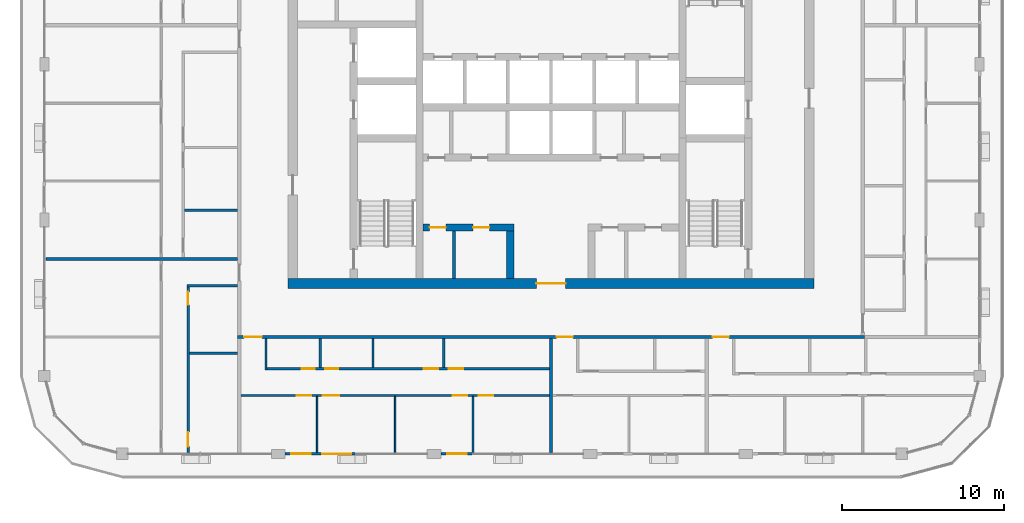
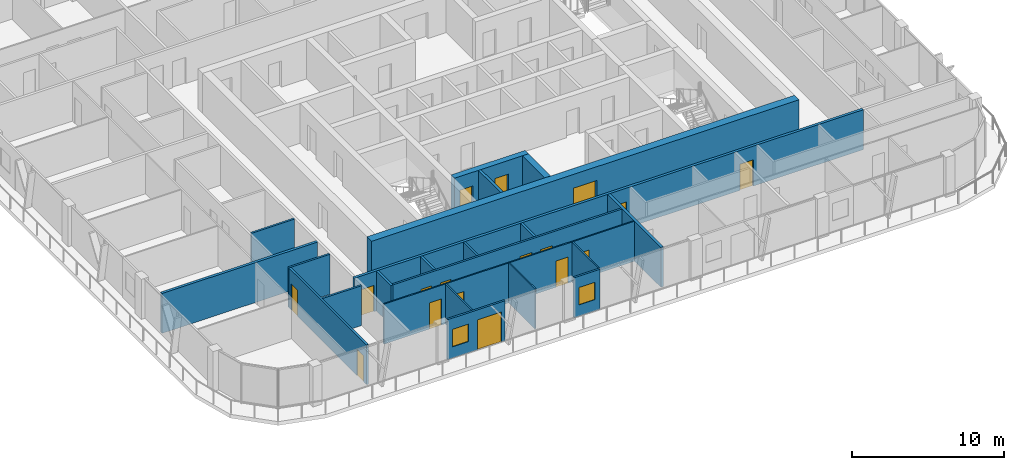
# One storey, part 9 of 21: 22 walls, 17 doors, 2 windows, 19 openings.
"""IFC4 building model written with IfcOpenShell, lengths in metres."""

from ifc_helpers import new_model, si_unit, direction, frame, frame_2d, origin, place, context, subcontext, project, spatial, rectangle, extrude, material, layer, layer_set, type_object, element, fill, save


model = new_model("IFC4")

# Units and contexts
model_context = context("Model", 3, precision=1e-05, world=origin(), true_north=direction((0.0, 1.0)))
body_context = subcontext(model_context, "Body", "Model", "MODEL_VIEW")
ifc_project = project(units=[si_unit("LENGTHUNIT", "METRE"), si_unit("AREAUNIT", "SQUARE_METRE"), si_unit("VOLUMEUNIT", "CUBIC_METRE"), si_unit("PLANEANGLEUNIT", "RADIAN"), si_unit("MASSUNIT", "GRAM", prefix="KILO")], contexts=[model_context])

# Site, building, storey
site_placement = place(None, origin())
site = spatial("IfcSite", under=ifc_project, at=site_placement, CompositionType="ELEMENT")
building_placement = place(site_placement, origin())
building = spatial("IfcBuilding", under=site, at=building_placement, Name="Madar Terraces", CompositionType="ELEMENT")
storey_placement = place(building_placement, frame((0.0, 0.0, 245.699951171875)))
storey = spatial("IfcBuildingStorey", under=building, at=storey_placement, Name="L64", CompositionType="ELEMENT", Elevation=245.699951171875)

# Wall, openings, doors
ifc_material_1 = material(Name="Concrete C55/67", Category="concrete")
ifc_layer_1 = layer(ifc_material_1, 0.449951171875)
ifc_layer_set_1 = layer_set([ifc_layer_1], Name="Concrete C55/67 (CIW5 RC wall 450)")
wall_type_1 = type_object("IfcWallType", Name="CIW5 RC wall 450", PredefinedType="SHEAR", material=ifc_layer_set_1)
wall_1_placement = place(storey_placement, frame((23.324951171875, 18.75, 0.0), z_axis=(0.0, 0.0, 1.0), x_axis=(1.0, 0.0, 0.0)))
wall_1 = element("IfcWall", 1, at=wall_1_placement, inside=storey, type_object=wall_type_1, Name="CORE SHAFT WALL", PredefinedType="SHEAR", context=body_context, shape_type="SweptSolid", body=[
    extrude(rectangle(XDim=5.60009765625, YDim=0.449951171875, at=frame_2d((2.800048828125, 0.0))), origin(), (0.0, 0.0, 1.0), 3.199951171875),
])
opening_1_placement = place(wall_1_placement, frame((0.40283203125, 0.0, 0.0)))
opening_1 = element("IfcOpeningElement", 2, at=opening_1_placement, cuts=wall_1, Name="Opening KD2", PredefinedType="OPENING", context=body_context, shape_type="SweptSolid", body=[
    extrude(rectangle(XDim=1.0, YDim=2.10009765625, at=frame_2d((0.5, 1.050048828125))), frame((0.0, 0.23486328125, 0.0), z_axis=(0.0, -1.0, 0.0), x_axis=(1.0, 0.0, 0.0)), (0.0, 0.0, 1.0), 0.469970703125),
])
opening_2_placement = place(wall_1_placement, frame((3.07763671875, 0.0, 0.0)))
opening_2 = element("IfcOpeningElement", 3, at=opening_2_placement, cuts=wall_1, Name="Opening KD2", PredefinedType="OPENING", context=body_context, shape_type="SweptSolid", body=[
    extrude(rectangle(XDim=1.0, YDim=2.10009765625, at=frame_2d((0.5, 1.050048828125))), frame((0.0, 0.23486328125, 0.0), z_axis=(0.0, -1.0, 0.0), x_axis=(1.0, 0.0, 0.0)), (0.0, 0.0, 1.0), 0.469970703125),
])
ifc_material_2 = material(Name="Steel door leaf", Category="steel")
door_type_1 = type_object("IfcDoorType", Name="Service room door 1000 x 2100", OperationType="NOTDEFINED", PredefinedType="DOOR", material=ifc_material_2)
door_1_placement = place(opening_1_placement, origin())
door_1 = element("IfcDoor", 4, at=door_1_placement, inside=storey, type_object=door_type_1, Name="SERVICE ROOM DOOR", OperationType="SINGLE_SWING_LEFT", OverallHeight=2.10009765625, OverallWidth=1.0, PredefinedType="DOOR", context=body_context, shape_type="SweptSolid", body=[
    extrude(rectangle(XDim=1.0, YDim=2.10009765625, at=frame_2d((0.5, 1.050048828125))), frame((0.0, 0.02490234375, 0.0), z_axis=(0.0, -1.0, 0.0), x_axis=(1.0, 0.0, 0.0)), (0.0, 0.0, 1.0), 0.050048828125),
])
fill(opening_1, door_1)
door_2_placement = place(opening_2_placement, origin())
door_2 = element("IfcDoor", 5, at=door_2_placement, inside=storey, type_object=door_type_1, Name="SERVICE ROOM DOOR", OperationType="SINGLE_SWING_RIGHT", OverallHeight=2.10009765625, OverallWidth=1.0, PredefinedType="DOOR", context=body_context, shape_type="SweptSolid", body=[
    extrude(rectangle(XDim=1.0, YDim=2.10009765625, at=frame_2d((0.5, 1.050048828125))), frame((0.0, 0.02490234375, 0.0), z_axis=(0.0, -1.0, 0.0), x_axis=(1.0, 0.0, 0.0)), (0.0, 0.0, 1.0), 0.050048828125),
])
fill(opening_2, door_2)

# Wall
wall_2_placement = place(storey_placement, frame((28.699951171875, 15.60009765625, 0.0), z_axis=(0.0, 0.0, 1.0), x_axis=(0.0, 1.0, 0.0)))
element("IfcWall", 6, at=wall_2_placement, inside=storey, type_object=wall_type_1, Name="CORE SHAFT WALL", PredefinedType="SHEAR", context=body_context, shape_type="SweptSolid", body=[
    extrude(rectangle(XDim=2.9248046875, YDim=0.449951171875, at=frame_2d((1.46240234375, 0.0))), origin(), (0.0, 0.0, 1.0), 3.199951171875),
])

# Wall, opening, door
ifc_material_3 = material(Name="Concrete C55/67", Category="concrete")
ifc_layer_2 = layer(ifc_material_3, 0.60009765625)
ifc_layer_set_2 = layer_set([ifc_layer_2], Name="Concrete C55/67 (CRW5 RC wall 600)")
wall_type_2 = type_object("IfcWallType", Name="CRW5 RC wall 600", PredefinedType="SHEAR", material=ifc_layer_set_2)
wall_3_placement = place(storey_placement, frame((15.0, 15.300048828125, 0.0), z_axis=(0.0, 0.0, 1.0), x_axis=(1.0, 0.0, 0.0)))
wall_3 = element("IfcWall", 7, at=wall_3_placement, inside=storey, type_object=wall_type_2, Name="CORE OUTER WALL", PredefinedType="SHEAR", context=body_context, shape_type="SweptSolid", body=[
    extrude(rectangle(XDim=32.39990234375, YDim=0.60009765625, at=frame_2d((16.199951171875, 0.0))), origin(), (0.0, 0.0, 1.0), 3.199951171875),
])
opening_3_placement = place(wall_3_placement, frame((15.300048828125, 0.0, 0.0)))
opening_3 = element("IfcOpeningElement", 8, at=opening_3_placement, cuts=wall_3, Name="Opening KD1", PredefinedType="OPENING", context=body_context, shape_type="SweptSolid", body=[
    extrude(rectangle(XDim=1.800048828125, YDim=2.10009765625, at=frame_2d((0.89990234375, 1.050048828125))), frame((0.0, 0.31005859375, 0.0), z_axis=(0.0, -1.0, 0.0), x_axis=(1.0, 0.0, 0.0)), (0.0, 0.0, 1.0), 0.6201171875),
])
ifc_material_4 = material(Name="Steel door leaf", Category="steel")
door_type_2 = type_object("IfcDoorType", Name="Lobby door pair 1800 x 2100", OperationType="DOUBLE_DOOR_SINGLE_SWING", PredefinedType="DOOR", material=ifc_material_4)
door_3_placement = place(opening_3_placement, frame((1.800048828125, 0.0, 0.0), z_axis=(0.0, 0.0, 1.0), x_axis=(-1.0, 0.0, 0.0)))
door_3 = element("IfcDoor", 9, at=door_3_placement, inside=storey, type_object=door_type_2, Name="LIFT LOBBY DOOR", OperationType="DOUBLE_DOOR_SINGLE_SWING", OverallHeight=2.10009765625, OverallWidth=1.800048828125, PredefinedType="DOOR", context=body_context, shape_type="SweptSolid", body=[
    extrude(rectangle(XDim=1.800048828125, YDim=2.10009765625, at=frame_2d((0.89990234375, 1.050048828125))), frame((0.0, 0.02490234375, 0.0), z_axis=(0.0, -1.0, 0.0), x_axis=(1.0, 0.0, 0.0)), (0.0, 0.0, 1.0), 0.050048828125),
])
fill(opening_3, door_3)

# Wall
ifc_material_5 = material(Name="Masonry blockwork", Category="masonry")
ifc_layer_3 = layer(ifc_material_5, 0.199951171875)
ifc_layer_set_3 = layer_set([ifc_layer_3], Name="Core partition 200 blockwork")
wall_type_3 = type_object("IfcWallType", Name="Core partition 200 blockwork", PredefinedType="PARTITIONING", material=ifc_layer_set_3)
wall_4_placement = place(storey_placement, frame((25.23046875, 15.60009765625, 0.0), z_axis=(0.0, 0.0, 1.0), x_axis=(0.0, 1.0, 0.0)))
element("IfcWall", 10, at=wall_4_placement, inside=storey, type_object=wall_type_3, Name="SERVICE ROOM PARTITION", PredefinedType="PARTITIONING", context=body_context, shape_type="SweptSolid", body=[
    extrude(rectangle(XDim=2.9248046875, YDim=0.199951171875, at=frame_2d((1.46240234375, 0.0))), origin(), (0.0, 0.0, 1.0), 3.199951171875),
])

# Wall, openings, door, window
ifc_material_6 = material(Name="Aluminium composite panel, black, over insulated backing", Category="aluminium")
ifc_layer_4 = layer(ifc_material_6, 0.14990234375)
ifc_layer_set_4 = layer_set([ifc_layer_4], Name="Facade bay panel 150")
wall_type_4 = type_object("IfcWallType", Name="Facade bay panel 150", PredefinedType="SOLIDWALL", material=ifc_layer_set_4)
wall_5_placement = place(storey_placement, frame((14.824951171875, 4.800048828125, 0.0), z_axis=(0.0, 0.0, 1.0), x_axis=(1.0, 0.0, 0.0)))
wall_5 = element("IfcWall", 11, at=wall_5_placement, inside=storey, type_object=wall_type_4, Name="Facade bay panel", PredefinedType="SOLIDWALL", context=body_context, shape_type="SweptSolid", body=[
    extrude(rectangle(XDim=4.375, YDim=0.14990234375, at=frame_2d((2.1875, 0.0))), origin(), (0.0, 0.0, 1.0), 3.199951171875),
])
opening_4_placement = place(wall_5_placement, frame((0.387451171875, 0.0, 0.89990234375)))
opening_4 = element("IfcOpeningElement", 12, at=opening_4_placement, cuts=wall_5, Name="Opening W1", PredefinedType="OPENING", context=body_context, shape_type="SweptSolid", body=[
    extrude(rectangle(XDim=1.199951171875, YDim=1.39990234375, at=frame_2d((0.60009765625, 0.699951171875))), frame((0.0, 0.0849609375, 0.0), z_axis=(0.0, -1.0, 0.0), x_axis=(1.0, 0.0, 0.0)), (0.0, 0.0, 1.0), 0.169921875),
])
opening_5_placement = place(wall_5_placement, frame((2.27490234375, 0.0, 0.0)))
opening_5 = element("IfcOpeningElement", 13, at=opening_5_placement, cuts=wall_5, Name="Opening ED1", PredefinedType="OPENING", context=body_context, shape_type="SweptSolid", body=[
    extrude(rectangle(XDim=1.800048828125, YDim=2.39990234375, at=frame_2d((0.89990234375, 1.199951171875))), frame((0.0, 0.0849609375, 0.0), z_axis=(0.0, -1.0, 0.0), x_axis=(1.0, 0.0, 0.0)), (0.0, 0.0, 1.0), 0.169921875),
])
ifc_material_7 = material(Name="Glass, clear, with black aluminium frame", Category="aluminium")
door_type_3 = type_object("IfcDoorType", Name="Balcony and terrace sliding door 1800 x 2400", OperationType="SLIDING_TO_LEFT", PredefinedType="DOOR", material=ifc_material_7)
door_4_placement = place(opening_5_placement, origin())
door_4 = element("IfcDoor", 14, at=door_4_placement, inside=storey, type_object=door_type_3, Name="Balcony door", OperationType="SLIDING_TO_LEFT", OverallHeight=2.39990234375, OverallWidth=1.800048828125, PredefinedType="DOOR", context=body_context, shape_type="SweptSolid", body=[
    extrude(rectangle(XDim=1.800048828125, YDim=2.39990234375, at=frame_2d((0.89990234375, 1.199951171875))), frame((0.0, 0.02490234375, 0.0), z_axis=(0.0, -1.0, 0.0), x_axis=(1.0, 0.0, 0.0)), (0.0, 0.0, 1.0), 0.050048828125),
])
fill(opening_5, door_4)
ifc_material_8 = material(Name="Glass, clear, with black aluminium frame", Category="aluminium")
window_type = type_object("IfcWindowType", Name="Vent window 1200 x 1400", PartitioningType="SINGLE_PANEL", PredefinedType="WINDOW", material=ifc_material_8)
window_1_placement = place(opening_4_placement, origin())
window_1 = element("IfcWindow", 15, at=window_1_placement, inside=storey, type_object=window_type, Name="Operable vent window", OverallHeight=1.39990234375, OverallWidth=1.199951171875, PartitioningType="SINGLE_PANEL", PredefinedType="WINDOW", context=body_context, shape_type="SweptSolid", body=[
    extrude(rectangle(XDim=1.199951171875, YDim=1.39990234375, at=frame_2d((0.60009765625, 0.699951171875))), frame((0.0, 0.030029296875, 0.0), z_axis=(0.0, -1.0, 0.0), x_axis=(1.0, 0.0, 0.0)), (0.0, 0.0, 1.0), 0.06005859375),
])
fill(opening_4, window_1)

# Wall, opening, window
wall_6_placement = place(storey_placement, frame((24.425048828125, 4.800048828125, 0.0), z_axis=(0.0, 0.0, 1.0), x_axis=(1.0, 0.0, 0.0)))
wall_6 = element("IfcWall", 16, at=wall_6_placement, inside=storey, type_object=wall_type_4, Name="Facade bay panel", PredefinedType="SOLIDWALL", context=body_context, shape_type="SweptSolid", body=[
    extrude(rectangle(XDim=1.974853515625, YDim=0.14990234375, at=frame_2d((0.9873046875, 0.0))), origin(), (0.0, 0.0, 1.0), 3.199951171875),
])
opening_6_placement = place(wall_6_placement, frame((0.387451171875, 0.0, 0.89990234375)))
opening_6 = element("IfcOpeningElement", 17, at=opening_6_placement, cuts=wall_6, Name="Opening W1", PredefinedType="OPENING", context=body_context, shape_type="SweptSolid", body=[
    extrude(rectangle(XDim=1.199951171875, YDim=1.39990234375, at=frame_2d((0.60009765625, 0.699951171875))), frame((0.0, 0.0849609375, 0.0), z_axis=(0.0, -1.0, 0.0), x_axis=(1.0, 0.0, 0.0)), (0.0, 0.0, 1.0), 0.169921875),
])
window_2_placement = place(opening_6_placement, origin())
window_2 = element("IfcWindow", 18, at=window_2_placement, inside=storey, type_object=window_type, Name="Operable vent window", OverallHeight=1.39990234375, OverallWidth=1.199951171875, PartitioningType="SINGLE_PANEL", PredefinedType="WINDOW", context=body_context, shape_type="SweptSolid", body=[
    extrude(rectangle(XDim=1.199951171875, YDim=1.39990234375, at=frame_2d((0.60009765625, 0.699951171875))), frame((0.0, 0.030029296875, 0.0), z_axis=(0.0, -1.0, 0.0), x_axis=(1.0, 0.0, 0.0)), (0.0, 0.0, 1.0), 0.06005859375),
])
fill(opening_6, window_2)

# Walls
ifc_material_9 = material(Name="Gypsum board on steel studs", Category="steel")
ifc_layer_5 = layer(ifc_material_9, 0.10009765625)
ifc_layer_set_5 = layer_set([ifc_layer_5], Name="Flat partition 100")
wall_type_5 = type_object("IfcWallType", Name="Flat partition 100", PredefinedType="PARTITIONING", material=ifc_layer_set_5)
for number, where, z_axis, x_axis, name in (
    (19, (16.800048828125, 8.35009765625, 0.0), (0.0, 0.0, 1.0), (0.0, -1.0, 0.0), "Flat partition 100"),
    (20, (21.60009765625, 8.35009765625, 0.0), (0.0, 0.0, 1.0), (0.0, -1.0, 0.0), "Flat partition 100"),
    (21, (26.39990234375, 8.35009765625, 0.0), (0.0, 0.0, 1.0), (0.0, -1.0, 0.0), "Flat partition 100"),
):
    element("IfcWall", number, at=place(storey_placement, frame(where, z_axis=z_axis, x_axis=x_axis)), inside=storey, type_object=wall_type_5, Name=name, PredefinedType="PARTITIONING", context=body_context, shape_type="SweptSolid", body=[
        extrude(rectangle(XDim=3.4501953125, YDim=0.10009765625, at=frame_2d((1.72509765625, 0.0))), origin(), (0.0, 0.0, 1.0), 3.199951171875),
    ])

# Wall, openings, doors
wall_7_placement = place(storey_placement, frame((31.10009765625, 8.39990234375, 0.0), z_axis=(0.0, 0.0, 1.0), x_axis=(-1.0, 0.0, 0.0)))
wall_7 = element("IfcWall", 22, at=wall_7_placement, inside=storey, type_object=wall_type_5, Name="Flat partition 100", PredefinedType="PARTITIONING", context=body_context, shape_type="SweptSolid", body=[
    extrude(rectangle(XDim=19.0, YDim=0.10009765625, at=frame_2d((9.5, 0.0))), origin(), (0.0, 0.0, 1.0), 3.199951171875),
])
opening_7_placement = place(wall_7_placement, frame((14.64990234375, 0.0, 0.0)))
opening_7 = element("IfcOpeningElement", 23, at=opening_7_placement, cuts=wall_7, Name="Opening D2", PredefinedType="OPENING", context=body_context, shape_type="SweptSolid", body=[
    extrude(rectangle(XDim=0.89990234375, YDim=2.10009765625, at=frame_2d((0.449951171875, 1.050048828125))), frame((0.0, 0.06005859375, 0.0), z_axis=(0.0, -1.0, 0.0), x_axis=(1.0, 0.0, 0.0)), (0.0, 0.0, 1.0), 0.1201171875),
])
opening_8_placement = place(wall_7_placement, frame((12.949951171875, 0.0, 0.0)))
opening_8 = element("IfcOpeningElement", 24, at=opening_8_placement, cuts=wall_7, Name="Opening D3", PredefinedType="OPENING", context=body_context, shape_type="SweptSolid", body=[
    extrude(rectangle(XDim=1.0, YDim=2.10009765625, at=frame_2d((0.5, 1.050048828125))), frame((0.0, 0.06005859375, 0.0), z_axis=(0.0, -1.0, 0.0), x_axis=(1.0, 0.0, 0.0)), (0.0, 0.0, 1.0), 0.1201171875),
])
opening_9_placement = place(wall_7_placement, frame((5.050048828125, 0.0, 0.0)))
opening_9 = element("IfcOpeningElement", 25, at=opening_9_placement, cuts=wall_7, Name="Opening D2", PredefinedType="OPENING", context=body_context, shape_type="SweptSolid", body=[
    extrude(rectangle(XDim=0.89990234375, YDim=2.10009765625, at=frame_2d((0.449951171875, 1.050048828125))), frame((0.0, 0.06005859375, 0.0), z_axis=(0.0, -1.0, 0.0), x_axis=(1.0, 0.0, 0.0)), (0.0, 0.0, 1.0), 0.1201171875),
])
opening_10_placement = place(wall_7_placement, frame((3.449951171875, 0.0, 0.0)))
opening_10 = element("IfcOpeningElement", 26, at=opening_10_placement, cuts=wall_7, Name="Opening D2", PredefinedType="OPENING", context=body_context, shape_type="SweptSolid", body=[
    extrude(rectangle(XDim=0.89990234375, YDim=2.10009765625, at=frame_2d((0.449951171875, 1.050048828125))), frame((0.0, 0.06005859375, 0.0), z_axis=(0.0, -1.0, 0.0), x_axis=(1.0, 0.0, 0.0)), (0.0, 0.0, 1.0), 0.1201171875),
])
ifc_material_10 = material(Name="Timber door leaf", Category="wood")
door_type_4 = type_object("IfcDoorType", Name="Flat living room door 1000", OperationType="NOTDEFINED", PredefinedType="DOOR", material=ifc_material_10)
door_5_placement = place(opening_8_placement, origin())
door_5 = element("IfcDoor", 27, at=door_5_placement, inside=storey, type_object=door_type_4, Name="Flat living room door 1000", OperationType="SINGLE_SWING_RIGHT", OverallHeight=2.10009765625, OverallWidth=1.0, PredefinedType="DOOR", context=body_context, shape_type="SweptSolid", body=[
    extrude(rectangle(XDim=1.0, YDim=2.10009765625, at=frame_2d((0.5, 1.050048828125))), frame((0.0, 0.02490234375, 0.0), z_axis=(0.0, -1.0, 0.0), x_axis=(1.0, 0.0, 0.0)), (0.0, 0.0, 1.0), 0.050048828125),
])
fill(opening_8, door_5)
ifc_material_11 = material(Name="Timber door leaf", Category="wood")
door_type_5 = type_object("IfcDoorType", Name="Flat room door 900", OperationType="NOTDEFINED", PredefinedType="DOOR", material=ifc_material_11)
door_6_placement = place(opening_7_placement, origin())
door_6 = element("IfcDoor", 28, at=door_6_placement, inside=storey, type_object=door_type_5, Name="Flat room door 900", OperationType="SINGLE_SWING_LEFT", OverallHeight=2.10009765625, OverallWidth=0.89990234375, PredefinedType="DOOR", context=body_context, shape_type="SweptSolid", body=[
    extrude(rectangle(XDim=0.89990234375, YDim=2.10009765625, at=frame_2d((0.449951171875, 1.050048828125))), frame((0.0, 0.02490234375, 0.0), z_axis=(0.0, -1.0, 0.0), x_axis=(1.0, 0.0, 0.0)), (0.0, 0.0, 1.0), 0.050048828125),
])
fill(opening_7, door_6)
door_7_placement = place(opening_9_placement, origin())
door_7 = element("IfcDoor", 29, at=door_7_placement, inside=storey, type_object=door_type_5, Name="Flat room door 900", OperationType="SINGLE_SWING_LEFT", OverallHeight=2.10009765625, OverallWidth=0.89990234375, PredefinedType="DOOR", context=body_context, shape_type="SweptSolid", body=[
    extrude(rectangle(XDim=0.89990234375, YDim=2.10009765625, at=frame_2d((0.449951171875, 1.050048828125))), frame((0.0, 0.02490234375, 0.0), z_axis=(0.0, -1.0, 0.0), x_axis=(1.0, 0.0, 0.0)), (0.0, 0.0, 1.0), 0.050048828125),
])
fill(opening_9, door_7)
door_8_placement = place(opening_10_placement, origin())
door_8 = element("IfcDoor", 30, at=door_8_placement, inside=storey, type_object=door_type_5, Name="Flat room door 900", OperationType="SINGLE_SWING_RIGHT", OverallHeight=2.10009765625, OverallWidth=0.89990234375, PredefinedType="DOOR", context=body_context, shape_type="SweptSolid", body=[
    extrude(rectangle(XDim=0.89990234375, YDim=2.10009765625, at=frame_2d((0.449951171875, 1.050048828125))), frame((0.0, 0.02490234375, 0.0), z_axis=(0.0, -1.0, 0.0), x_axis=(1.0, 0.0, 0.0)), (0.0, 0.0, 1.0), 0.050048828125),
])
fill(opening_10, door_8)

ifc_material_12 = material(Name="Lightweight blockwork", Category="masonry")
ifc_layer_6 = layer(ifc_material_12, 0.199951171875)
ifc_layer_set_6 = layer_set([ifc_layer_6], Name="Flat party and entrance wall 200")
wall_type_6 = type_object("IfcWallType", Name="Flat party and entrance wall 200", PredefinedType="PARTITIONING", material=ifc_layer_set_6)
wall_8_placement = place(storey_placement, frame((50.5, 12.0, 0.0), z_axis=(0.0, 0.0, 1.0), x_axis=(-1.0, 0.0, 0.0)))
wall_8 = element("IfcWall", 31, at=wall_8_placement, inside=storey, type_object=wall_type_6, Name="Flat party and entrance wall 200", PredefinedType="PARTITIONING", context=body_context, shape_type="SweptSolid", body=[
    extrude(rectangle(XDim=38.60009765625, YDim=0.199951171875, at=frame_2d((19.300048828125, 0.0))), origin(), (0.0, 0.0, 1.0), 3.199951171875),
])
opening_11_placement = place(wall_8_placement, frame((37.10009765625, 0.0, 0.0)))
opening_11 = element("IfcOpeningElement", 32, at=opening_11_placement, cuts=wall_8, Name="Opening D6", PredefinedType="OPENING", context=body_context, shape_type="SweptSolid", body=[
    extrude(rectangle(XDim=1.10009765625, YDim=2.10009765625, at=frame_2d((0.550048828125, 1.050048828125))), frame((0.0, 0.10986328125, 0.0), z_axis=(0.0, -1.0, 0.0), x_axis=(1.0, 0.0, 0.0)), (0.0, 0.0, 1.0), 0.219970703125),
])
opening_12_placement = place(wall_8_placement, frame((17.949951171875, 0.0, 0.0)))
opening_12 = element("IfcOpeningElement", 33, at=opening_12_placement, cuts=wall_8, Name="Opening D1", PredefinedType="OPENING", context=body_context, shape_type="SweptSolid", body=[
    extrude(rectangle(XDim=1.0, YDim=2.10009765625, at=frame_2d((0.5, 1.050048828125))), frame((0.0, 0.10986328125, 0.0), z_axis=(0.0, -1.0, 0.0), x_axis=(1.0, 0.0, 0.0)), (0.0, 0.0, 1.0), 0.219970703125),
])
opening_13_placement = place(wall_8_placement, frame((8.35009765625, 0.0, 0.0)))
opening_13 = element("IfcOpeningElement", 34, at=opening_13_placement, cuts=wall_8, Name="Opening D1", PredefinedType="OPENING", context=body_context, shape_type="SweptSolid", body=[
    extrude(rectangle(XDim=1.0, YDim=2.10009765625, at=frame_2d((0.5, 1.050048828125))), frame((0.0, 0.10986328125, 0.0), z_axis=(0.0, -1.0, 0.0), x_axis=(1.0, 0.0, 0.0)), (0.0, 0.0, 1.0), 0.219970703125),
])
ifc_material_13 = material(Name="Timber fire door leaf", Category="wood")
door_type_6 = type_object("IfcDoorType", Name="Flat entrance door 1000 FD30S", OperationType="NOTDEFINED", PredefinedType="DOOR", material=ifc_material_13)
door_9_placement = place(opening_12_placement, origin())
door_9 = element("IfcDoor", 35, at=door_9_placement, inside=storey, type_object=door_type_6, Name="Flat entrance door 1000 FD30S", OperationType="SINGLE_SWING_RIGHT", OverallHeight=2.10009765625, OverallWidth=1.0, PredefinedType="DOOR", context=body_context, shape_type="SweptSolid", body=[
    extrude(rectangle(XDim=1.0, YDim=2.10009765625, at=frame_2d((0.5, 1.050048828125))), frame((0.0, 0.02490234375, 0.0), z_axis=(0.0, -1.0, 0.0), x_axis=(1.0, 0.0, 0.0)), (0.0, 0.0, 1.0), 0.050048828125),
])
fill(opening_12, door_9)
door_10_placement = place(opening_13_placement, origin())
door_10 = element("IfcDoor", 36, at=door_10_placement, inside=storey, type_object=door_type_6, Name="Flat entrance door 1000 FD30S", OperationType="SINGLE_SWING_RIGHT", OverallHeight=2.10009765625, OverallWidth=1.0, PredefinedType="DOOR", context=body_context, shape_type="SweptSolid", body=[
    extrude(rectangle(XDim=1.0, YDim=2.10009765625, at=frame_2d((0.5, 1.050048828125))), frame((0.0, 0.02490234375, 0.0), z_axis=(0.0, -1.0, 0.0), x_axis=(1.0, 0.0, 0.0)), (0.0, 0.0, 1.0), 0.050048828125),
])
fill(opening_13, door_10)
ifc_material_14 = material(Name="Timber fire door leaf", Category="wood")
door_type_7 = type_object("IfcDoorType", Name="Flat entrance door 1100 FD30S", OperationType="NOTDEFINED", PredefinedType="DOOR", material=ifc_material_14)
door_11_placement = place(opening_11_placement, origin())
door_11 = element("IfcDoor", 37, at=door_11_placement, inside=storey, type_object=door_type_7, Name="Flat entrance door 1100 FD30S", OperationType="SINGLE_SWING_RIGHT", OverallHeight=2.10009765625, OverallWidth=1.10009765625, PredefinedType="DOOR", context=body_context, shape_type="SweptSolid", body=[
    extrude(rectangle(XDim=1.10009765625, YDim=2.10009765625, at=frame_2d((0.550048828125, 1.050048828125))), frame((0.0, 0.02490234375, 0.0), z_axis=(0.0, -1.0, 0.0), x_axis=(1.0, 0.0, 0.0)), (0.0, 0.0, 1.0), 0.050048828125),
])
fill(opening_11, door_11)

# Walls
wall_9_placement = place(storey_placement, frame((31.199951171875, 11.89990234375, 0.0), z_axis=(0.0, 0.0, 1.0), x_axis=(0.0, -1.0, 0.0)))
element("IfcWall", 38, at=wall_9_placement, inside=storey, type_object=wall_type_6, Name="Flat party and entrance wall 200", PredefinedType="PARTITIONING", context=body_context, shape_type="SweptSolid", body=[
    extrude(rectangle(XDim=7.0, YDim=0.199951171875, at=frame_2d((3.5, 0.0))), origin(), (0.0, 0.0, 1.0), 3.199951171875),
])
wall_10_placement = place(storey_placement, frame((0.10009765625, 16.800048828125, 0.0), z_axis=(0.0, 0.0, 1.0), x_axis=(1.0, 0.0, 0.0)))
element("IfcWall", 39, at=wall_10_placement, inside=storey, type_object=wall_type_6, Name="Flat party and entrance wall 200", PredefinedType="PARTITIONING", context=body_context, shape_type="SweptSolid", body=[
    extrude(rectangle(XDim=11.7998046875, YDim=0.199951171875, at=frame_2d((5.89990234375, 0.0))), origin(), (0.0, 0.0, 1.0), 3.199951171875),
])
ifc_material_15 = material(Name="Lightweight blockwork", Category="masonry")
ifc_layer_7 = layer(ifc_material_15, 0.14990234375)
ifc_layer_set_7 = layer_set([ifc_layer_7], Name="Flat wet-room partition 150")
wall_type_7 = type_object("IfcWallType", Name="Flat wet-room partition 150", PredefinedType="PARTITIONING", material=ifc_layer_set_7)
for number, where, z_axis, x_axis, name in (
    (40, (16.98291015625, 11.89990234375, 0.0), (0.0, 0.0, 1.0), (0.0, -1.0, 0.0), "Flat wet-room partition 150"),
    (41, (20.240478515625, 11.89990234375, 0.0), (0.0, 0.0, 1.0), (0.0, -1.0, 0.0), "Flat wet-room partition 150"),
    (42, (24.58447265625, 11.89990234375, 0.0), (0.0, 0.0, 1.0), (0.0, -1.0, 0.0), "Flat wet-room partition 150"),
):
    element("IfcWall", number, at=place(storey_placement, frame(where, z_axis=z_axis, x_axis=x_axis)), inside=storey, type_object=wall_type_7, Name=name, PredefinedType="PARTITIONING", context=body_context, shape_type="SweptSolid", body=[
        extrude(rectangle(XDim=1.77490234375, YDim=0.14990234375, at=frame_2d((0.887451171875, 0.0))), origin(), (0.0, 0.0, 1.0), 3.199951171875),
    ])
wall_11_placement = place(storey_placement, frame((13.64990234375, 11.89990234375, 0.0), z_axis=(0.0, 0.0, 1.0), x_axis=(0.0, -1.0, 0.0)))
element("IfcWall", 43, at=wall_11_placement, inside=storey, type_object=wall_type_7, Name="Flat wet-room partition 150", PredefinedType="PARTITIONING", context=body_context, shape_type="SweptSolid", body=[
    extrude(rectangle(XDim=1.9248046875, YDim=0.14990234375, at=frame_2d((0.96240234375, 0.0))), origin(), (0.0, 0.0, 1.0), 3.199951171875),
])

# Wall, openings, doors
wall_12_placement = place(storey_placement, frame((13.72509765625, 10.050048828125, 0.0), z_axis=(0.0, 0.0, 1.0), x_axis=(1.0, 0.0, 0.0)))
wall_12 = element("IfcWall", 44, at=wall_12_placement, inside=storey, type_object=wall_type_7, Name="Flat wet-room partition 150", PredefinedType="PARTITIONING", context=body_context, shape_type="SweptSolid", body=[
    extrude(rectangle(XDim=17.375, YDim=0.14990234375, at=frame_2d((8.6875, 0.0))), origin(), (0.0, 0.0, 1.0), 3.199951171875),
])
opening_14_placement = place(wall_12_placement, frame((2.1328125, 0.0, 0.0)))
opening_14 = element("IfcOpeningElement", 45, at=opening_14_placement, cuts=wall_12, Name="Opening D7", PredefinedType="OPENING", context=body_context, shape_type="SweptSolid", body=[
    extrude(rectangle(XDim=0.800048828125, YDim=2.10009765625, at=frame_2d((0.39990234375, 1.050048828125))), frame((0.0, 0.0849609375, 0.0), z_axis=(0.0, -1.0, 0.0), x_axis=(1.0, 0.0, 0.0)), (0.0, 0.0, 1.0), 0.169921875),
])
opening_15_placement = place(wall_12_placement, frame((3.582763671875, 0.0, 0.0)))
opening_15 = element("IfcOpeningElement", 46, at=opening_15_placement, cuts=wall_12, Name="Opening D4", PredefinedType="OPENING", context=body_context, shape_type="SweptSolid", body=[
    extrude(rectangle(XDim=0.800048828125, YDim=2.10009765625, at=frame_2d((0.39990234375, 1.050048828125))), frame((0.0, 0.0849609375, 0.0), z_axis=(0.0, -1.0, 0.0), x_axis=(1.0, 0.0, 0.0)), (0.0, 0.0, 1.0), 0.169921875),
])
opening_16_placement = place(wall_12_placement, frame((9.634521484375, 0.0, 0.0)))
opening_16 = element("IfcOpeningElement", 47, at=opening_16_placement, cuts=wall_12, Name="Opening D5", PredefinedType="OPENING", context=body_context, shape_type="SweptSolid", body=[
    extrude(rectangle(XDim=0.89990234375, YDim=2.10009765625, at=frame_2d((0.449951171875, 1.050048828125))), frame((0.0, 0.0849609375, 0.0), z_axis=(0.0, -1.0, 0.0), x_axis=(1.0, 0.0, 0.0)), (0.0, 0.0, 1.0), 0.169921875),
])
opening_17_placement = place(wall_12_placement, frame((11.184326171875, 0.0, 0.0)))
opening_17 = element("IfcOpeningElement", 48, at=opening_17_placement, cuts=wall_12, Name="Opening D2", PredefinedType="OPENING", context=body_context, shape_type="SweptSolid", body=[
    extrude(rectangle(XDim=0.89990234375, YDim=2.10009765625, at=frame_2d((0.449951171875, 1.050048828125))), frame((0.0, 0.0849609375, 0.0), z_axis=(0.0, -1.0, 0.0), x_axis=(1.0, 0.0, 0.0)), (0.0, 0.0, 1.0), 0.169921875),
])
ifc_material_16 = material(Name="Timber door leaf", Category="wood")
door_type_8 = type_object("IfcDoorType", Name="Flat accessible bathroom door 900", OperationType="NOTDEFINED", PredefinedType="DOOR", material=ifc_material_16)
door_12_placement = place(opening_16_placement, origin())
door_12 = element("IfcDoor", 49, at=door_12_placement, inside=storey, type_object=door_type_8, Name="Flat accessible bathroom door 900", OperationType="SINGLE_SWING_RIGHT", OverallHeight=2.10009765625, OverallWidth=0.89990234375, PredefinedType="DOOR", context=body_context, shape_type="SweptSolid", body=[
    extrude(rectangle(XDim=0.89990234375, YDim=2.10009765625, at=frame_2d((0.449951171875, 1.050048828125))), frame((0.0, 0.02490234375, 0.0), z_axis=(0.0, -1.0, 0.0), x_axis=(1.0, 0.0, 0.0)), (0.0, 0.0, 1.0), 0.050048828125),
])
fill(opening_16, door_12)
ifc_material_17 = material(Name="Timber door leaf", Category="wood")
door_type_9 = type_object("IfcDoorType", Name="Flat bathroom door 800", OperationType="NOTDEFINED", PredefinedType="DOOR", material=ifc_material_17)
door_13_placement = place(opening_15_placement, origin())
door_13 = element("IfcDoor", 50, at=door_13_placement, inside=storey, type_object=door_type_9, Name="Flat bathroom door 800", OperationType="SINGLE_SWING_LEFT", OverallHeight=2.10009765625, OverallWidth=0.800048828125, PredefinedType="DOOR", context=body_context, shape_type="SweptSolid", body=[
    extrude(rectangle(XDim=0.800048828125, YDim=2.10009765625, at=frame_2d((0.39990234375, 1.050048828125))), frame((0.0, 0.02490234375, 0.0), z_axis=(0.0, -1.0, 0.0), x_axis=(1.0, 0.0, 0.0)), (0.0, 0.0, 1.0), 0.050048828125),
])
fill(opening_15, door_13)
door_14_placement = place(opening_17_placement, origin())
door_14 = element("IfcDoor", 51, at=door_14_placement, inside=storey, type_object=door_type_5, Name="Flat room door 900", OperationType="SINGLE_SWING_LEFT", OverallHeight=2.10009765625, OverallWidth=0.89990234375, PredefinedType="DOOR", context=body_context, shape_type="SweptSolid", body=[
    extrude(rectangle(XDim=0.89990234375, YDim=2.10009765625, at=frame_2d((0.449951171875, 1.050048828125))), frame((0.0, 0.02490234375, 0.0), z_axis=(0.0, -1.0, 0.0), x_axis=(1.0, 0.0, 0.0)), (0.0, 0.0, 1.0), 0.050048828125),
])
fill(opening_17, door_14)
ifc_material_18 = material(Name="Timber door leaf", Category="wood")
door_type_10 = type_object("IfcDoorType", Name="Flat utility door 800", OperationType="NOTDEFINED", PredefinedType="DOOR", material=ifc_material_18)
door_15_placement = place(opening_14_placement, origin())
door_15 = element("IfcDoor", 52, at=door_15_placement, inside=storey, type_object=door_type_10, Name="Flat utility door 800", OperationType="SINGLE_SWING_RIGHT", OverallHeight=2.10009765625, OverallWidth=0.800048828125, PredefinedType="DOOR", context=body_context, shape_type="SweptSolid", body=[
    extrude(rectangle(XDim=0.800048828125, YDim=2.10009765625, at=frame_2d((0.39990234375, 1.050048828125))), frame((0.0, 0.02490234375, 0.0), z_axis=(0.0, -1.0, 0.0), x_axis=(1.0, 0.0, 0.0)), (0.0, 0.0, 1.0), 0.050048828125),
])
fill(opening_14, door_15)

# Walls
wall_13_placement = place(storey_placement, frame((11.89990234375, 19.802001953125, 0.0), z_axis=(0.0, 0.0, 1.0), x_axis=(-1.0, 0.0, 0.0)))
element("IfcWall", 53, at=wall_13_placement, inside=storey, type_object=wall_type_7, Name="Flat wet-room partition 150", PredefinedType="PARTITIONING", context=body_context, shape_type="SweptSolid", body=[
    extrude(rectangle(XDim=3.27490234375, YDim=0.14990234375, at=frame_2d((1.637451171875, 0.0))), origin(), (0.0, 0.0, 1.0), 3.199951171875),
])
wall_14_placement = place(storey_placement, frame((11.89990234375, 11.0048828125, 0.0), z_axis=(0.0, 0.0, 1.0), x_axis=(-1.0, 0.0, 0.0)))
element("IfcWall", 54, at=wall_14_placement, inside=storey, type_object=wall_type_7, Name="Flat wet-room partition 150", PredefinedType="PARTITIONING", context=body_context, shape_type="SweptSolid", body=[
    extrude(rectangle(XDim=2.974853515625, YDim=0.14990234375, at=frame_2d((1.4873046875, 0.0))), origin(), (0.0, 0.0, 1.0), 3.199951171875),
])
wall_15_placement = place(storey_placement, frame((11.89990234375, 15.14990234375, 0.0), z_axis=(0.0, 0.0, 1.0), x_axis=(-1.0, 0.0, 0.0)))
element("IfcWall", 55, at=wall_15_placement, inside=storey, type_object=wall_type_7, Name="Flat wet-room partition 150", PredefinedType="PARTITIONING", context=body_context, shape_type="SweptSolid", body=[
    extrude(rectangle(XDim=3.125, YDim=0.14990234375, at=frame_2d((1.5625, 0.0))), origin(), (0.0, 0.0, 1.0), 3.199951171875),
])

# Wall, openings, doors
wall_16_placement = place(storey_placement, frame((8.85009765625, 15.074951171875, 0.0), z_axis=(0.0, 0.0, 1.0), x_axis=(0.0, -1.0, 0.0)))
wall_16 = element("IfcWall", 56, at=wall_16_placement, inside=storey, type_object=wall_type_7, Name="Flat wet-room partition 150", PredefinedType="PARTITIONING", context=body_context, shape_type="SweptSolid", body=[
    extrude(rectangle(XDim=10.175048828125, YDim=0.14990234375, at=frame_2d((5.08740234375, 0.0))), origin(), (0.0, 0.0, 1.0), 3.199951171875),
])
opening_18_placement = place(wall_16_placement, frame((0.300048828125, 0.0, 0.0)))
opening_18 = element("IfcOpeningElement", 57, at=opening_18_placement, cuts=wall_16, Name="Opening D4", PredefinedType="OPENING", context=body_context, shape_type="SweptSolid", body=[
    extrude(rectangle(XDim=0.800048828125, YDim=2.10009765625, at=frame_2d((0.39990234375, 1.050048828125))), frame((0.0, 0.0849609375, 0.0), z_axis=(0.0, -1.0, 0.0), x_axis=(1.0, 0.0, 0.0)), (0.0, 0.0, 1.0), 0.169921875),
])
opening_19_placement = place(wall_16_placement, frame((8.925048828125, 0.0, 0.0)))
opening_19 = element("IfcOpeningElement", 58, at=opening_19_placement, cuts=wall_16, Name="Opening D2", PredefinedType="OPENING", context=body_context, shape_type="SweptSolid", body=[
    extrude(rectangle(XDim=0.89990234375, YDim=2.10009765625, at=frame_2d((0.449951171875, 1.050048828125))), frame((0.0, 0.0849609375, 0.0), z_axis=(0.0, -1.0, 0.0), x_axis=(1.0, 0.0, 0.0)), (0.0, 0.0, 1.0), 0.169921875),
])
door_16_placement = place(opening_18_placement, origin())
door_16 = element("IfcDoor", 59, at=door_16_placement, inside=storey, type_object=door_type_9, Name="Flat bathroom door 800", OperationType="SINGLE_SWING_LEFT", OverallHeight=2.10009765625, OverallWidth=0.800048828125, PredefinedType="DOOR", context=body_context, shape_type="SweptSolid", body=[
    extrude(rectangle(XDim=0.800048828125, YDim=2.10009765625, at=frame_2d((0.39990234375, 1.050048828125))), frame((0.0, 0.02490234375, 0.0), z_axis=(0.0, -1.0, 0.0), x_axis=(1.0, 0.0, 0.0)), (0.0, 0.0, 1.0), 0.050048828125),
])
fill(opening_18, door_16)
door_17_placement = place(opening_19_placement, origin())
door_17 = element("IfcDoor", 60, at=door_17_placement, inside=storey, type_object=door_type_5, Name="Flat room door 900", OperationType="SINGLE_SWING_RIGHT", OverallHeight=2.10009765625, OverallWidth=0.89990234375, PredefinedType="DOOR", context=body_context, shape_type="SweptSolid", body=[
    extrude(rectangle(XDim=0.89990234375, YDim=2.10009765625, at=frame_2d((0.449951171875, 1.050048828125))), frame((0.0, 0.02490234375, 0.0), z_axis=(0.0, -1.0, 0.0), x_axis=(1.0, 0.0, 0.0)), (0.0, 0.0, 1.0), 0.050048828125),
])
fill(opening_19, door_17)

save(model, "model.ifc")
